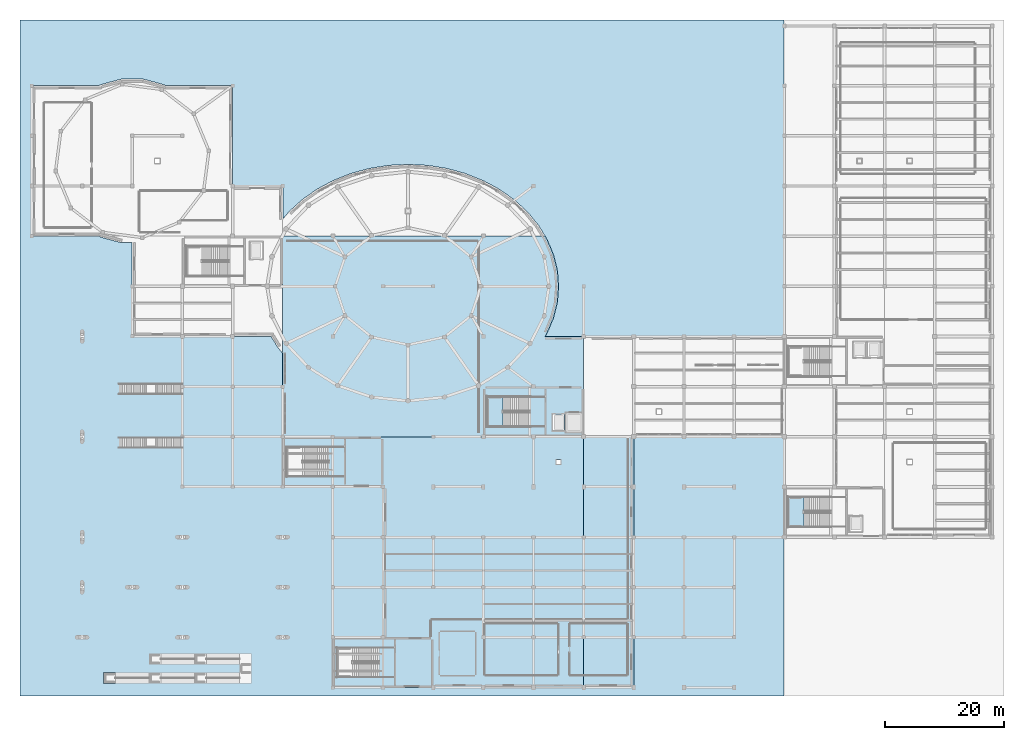
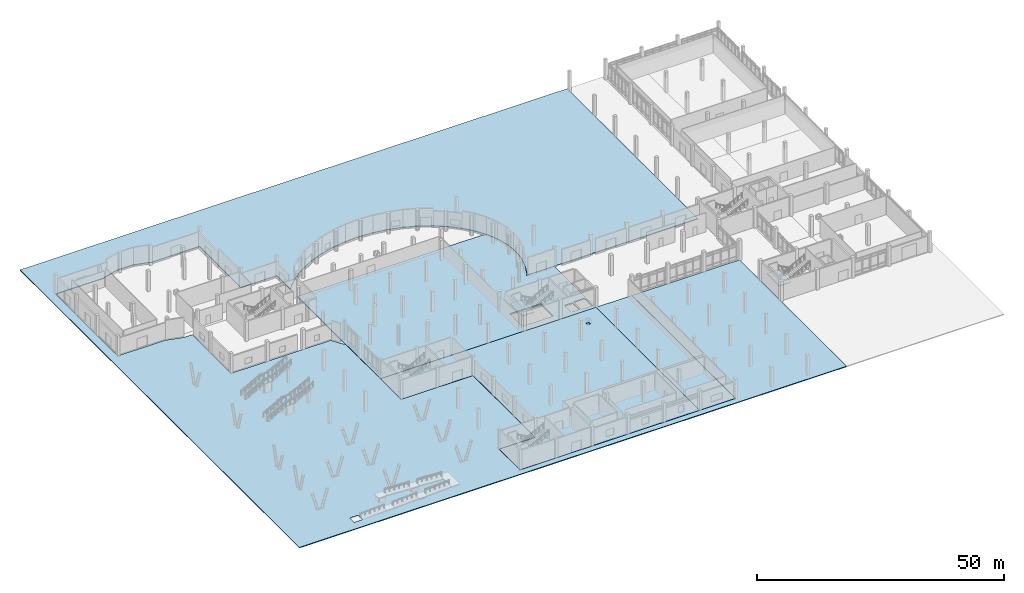
# One storey, part 38 of 64: 6 slabs, 2 elements without a shape of their own.
"""IFC4 building model written with IfcOpenShell, lengths in metres."""

from ifc_helpers import new_model, si_unit, derived_unit, direction, frame, origin, place, context, subcontext, project, spatial, polyline, outline, extrude, material, layer, layer_set, type_object, element, aggregate, save


model = new_model("IFC4")

# Units and contexts
model_context = context("Model", 3, precision=1e-05, world=origin(), true_north=direction((0.0, 1.0)))
body_context = subcontext(model_context, "Body", "Model", "MODEL_VIEW")
ifc_project = project(units=[si_unit("LENGTHUNIT", "METRE"), si_unit("AREAUNIT", "SQUARE_METRE"), si_unit("VOLUMEUNIT", "CUBIC_METRE"), si_unit("PLANEANGLEUNIT", "RADIAN"), si_unit("MASSUNIT", "GRAM", prefix="KILO"), derived_unit("THERMALTRANSMITTANCEUNIT", [(si_unit("POWERUNIT", "WATT"), 1), (si_unit("LENGTHUNIT", "METRE"), -2), (si_unit("THERMODYNAMICTEMPERATUREUNIT", "KELVIN"), -1)])], contexts=[model_context])

# Site, building, storey
site_placement = place(None, origin())
site = spatial("IfcSite", under=ifc_project, at=site_placement, CompositionType="ELEMENT")
building_placement = place(site_placement, origin())
building = spatial("IfcBuilding", under=site, at=building_placement, Name="Elbkamm Science Centre", CompositionType="ELEMENT")
storey_placement = place(building_placement, origin())
storey = spatial("IfcBuildingStorey", under=building, at=storey_placement, Name="L00", CompositionType="ELEMENT", Elevation=0.0)

# Slabs
ifc_material_1 = material(Name="Reinforced concrete C40/50", Category="concrete")
ifc_layer_1 = layer(ifc_material_1, 0.300048828125)
ifc_layer_set_1 = layer_set([ifc_layer_1], Name="Reinforced concrete C40/50")
slab_type_1 = type_object("IfcSlabType", Name="SLAB-FLR-300", PredefinedType="FLOOR", material=ifc_layer_set_1)
slab_1_placement = place(storey_placement, frame((0.0, 0.0, -0.300048828125)))
element("IfcSlab", 1, at=slab_1_placement, inside=storey, type_object=slab_type_1, Name="L00 Structural Slab CS-03", PredefinedType="FLOOR", context=body_context, shape_type="SweptSolid", body=[
    extrude(outline(polyline([(58.800048828125, 0.0), (50.39990234375, 0.0), (50.39990234375, 8.39990234375), (58.800048828125, 8.39990234375), (58.800048828125, 33.60009765625), (42.0, 33.60009765625), (42.0, 42.0), (92.39990234375, 42.0), (92.39990234375, 0.0), (67.199951171875, 0.0), (58.800048828125, 0.0)]), holes=[polyline([(88.550048828125, 38.14990234375), (87.85009765625, 38.14990234375), (87.85009765625, 37.449951171875), (88.550048828125, 37.449951171875), (88.550048828125, 38.14990234375)])]), origin(), (0.0, 0.0, 1.0), 0.300048828125),
])
slab_2_placement = place(storey_placement, frame((0.0, 0.0, -0.300048828125)))
element("IfcSlab", 2, at=slab_2_placement, inside=storey, type_object=slab_type_1, Name="L00 Structural Slab CM-04", PredefinedType="FLOOR", context=body_context, shape_type="SweptSolid", body=[
    extrude(outline(polyline([(86.28173828125, 75.006591796875), (87.34130859375, 72.47998046875), (87.984375, 69.86279296875), (88.199951171875, 67.199951171875), (87.984375, 64.537353515625), (87.34130859375, 61.920166015625), (86.28173828125, 59.393310546875), (85.92041015625, 58.800048828125), (92.39990234375, 58.800048828125), (92.39990234375, 42.0), (42.0, 42.0), (42.0, 56.001953125), (42.0, 75.60009765625), (85.92041015625, 75.60009765625), (86.28173828125, 75.006591796875)]), holes=[polyline([(83.3798828125, 48.719970703125), (76.199951171875, 48.719970703125), (76.199951171875, 43.679931640625), (83.3798828125, 43.679931640625), (83.3798828125, 48.719970703125)]), polyline([(89.14990234375, 45.75), (87.25, 45.75), (87.25, 43.050048828125), (89.14990234375, 43.050048828125), (89.14990234375, 45.75)]), polyline([(92.050048828125, 42.85009765625), (92.050048828125, 45.949951171875), (89.550048828125, 45.949951171875), (89.550048828125, 42.85009765625), (92.050048828125, 42.85009765625)])]), origin(), (0.0, 0.0, 1.0), 0.300048828125),
])
slab_3_placement = place(storey_placement, frame((0.0, 0.0, -0.300048828125)))
element("IfcSlab", 3, at=slab_3_placement, inside=storey, type_object=slab_type_1, Name="L00 Structural Slab MS-06", PredefinedType="FLOOR", context=body_context, shape_type="SweptSolid", body=[
    extrude(outline(polyline([(100.800048828125, 0.0), (92.39990234375, 0.0), (92.39990234375, 42.0), (100.800048828125, 42.0), (100.800048828125, 0.0)])), origin(), (0.0, 0.0, 1.0), 0.300048828125),
])

# Stair, slab
stair_type = type_object("IfcStairType", Name="ST-TWO-30R-242", PredefinedType="USERDEFINED", material=ifc_material_1)
stair_1_placement = place(storey_placement, origin())
stair_1 = element("IfcStair", 4, at=stair_1_placement, inside=storey, type_object=stair_type, Name="L00 Core C2 Central Exhibition and Skybridge Core Escape Stair", ObjectType="TWO_RETURN_STAIR", PredefinedType="USERDEFINED")
ifc_layer_2 = layer(ifc_material_1, 0.199951171875)
ifc_layer_set_2 = layer_set([ifc_layer_2], Name="Reinforced concrete C40/50")
slab_type_2 = type_object("IfcSlabType", Name="SLAB-LAND-200", PredefinedType="LANDING", material=ifc_layer_set_2)
slab_4_placement = place(storey_placement, frame((0.0, 0.0, 2.35009765625)))
slab_4 = element("IfcSlab", 5, at=slab_4_placement, type_object=slab_type_2, Name="ST-C2 landing 1", PredefinedType="LANDING", context=body_context, shape_type="SweptSolid", body=[
    extrude(outline(polyline([(78.89990234375, 48.719970703125), (76.199951171875, 48.719970703125), (76.199951171875, 43.679931640625), (78.89990234375, 43.679931640625), (78.89990234375, 48.719970703125)])), origin(), (0.0, 0.0, 1.0), 0.199951171875),
])
aggregate(stair_1, [slab_4])

stair_2_placement = place(storey_placement, origin())
stair_2 = element("IfcStair", 6, at=stair_2_placement, inside=storey, type_object=stair_type, Name="L00 Core C4 Southeast Workshops and Library Core Escape Stair", ObjectType="TWO_RETURN_STAIR", PredefinedType="USERDEFINED")
slab_5_placement = place(storey_placement, frame((0.0, 0.0, 2.35009765625)))
slab_5 = element("IfcSlab", 7, at=slab_5_placement, type_object=slab_type_2, Name="ST-C4 landing 1", PredefinedType="LANDING", context=body_context, shape_type="SweptSolid", body=[
    extrude(outline(polyline([(129.300048828125, 31.919921875), (126.60009765625, 31.919921875), (126.60009765625, 26.8798828125), (129.300048828125, 26.8798828125), (129.300048828125, 31.919921875)])), origin(), (0.0, 0.0, 1.0), 0.199951171875),
])
aggregate(stair_2, [slab_5])

# Slab
ifc_material_2 = material(Name="Exposed freeze-thaw concrete C35/45", Category="concrete")
ifc_layer_3 = layer(ifc_material_2, 0.18994140625)
ifc_layer_set_3 = layer_set([ifc_layer_3], Name="Exposed freeze-thaw concrete C35/45")
slab_type_3 = type_object("IfcSlabType", Name="SLAB-PAV-190", PredefinedType="FLOOR", material=ifc_layer_set_3)
slab_6_placement = place(storey_placement, frame((0.0, 0.0, -0.18994140625)))
element("IfcSlab", 8, at=slab_6_placement, inside=storey, type_object=slab_type_3, Name="Quay Promenade and Forecourt Plaza Paving 01", PredefinedType="FLOOR", context=body_context, shape_type="SweptSolid", body=[
    extrude(outline(polyline([(-2.0, -1.39990234375), (-2.0, 111.800048828125), (125.97509765625, 111.800048828125), (125.97509765625, 58.820068359375), (85.9560546875, 58.820068359375), (86.298828125, 59.3828125), (86.299560546875, 59.38427734375), (86.30029296875, 59.385498046875), (87.359619140625, 61.912353515625), (87.3603515625, 61.913818359375), (87.360595703125, 61.915283203125), (88.00390625, 64.532470703125), (88.004150390625, 64.5341796875), (88.00439453125, 64.53564453125), (88.219970703125, 67.198486328125), (88.219970703125, 67.199951171875), (88.219970703125, 67.20166015625), (88.00439453125, 69.8642578125), (88.004150390625, 69.865966796875), (88.00390625, 69.867431640625), (87.360595703125, 72.484619140625), (87.3603515625, 72.486083984375), (87.359619140625, 72.487548828125), (86.30029296875, 75.014404296875), (86.299560546875, 75.015869140625), (86.298828125, 75.01708984375), (84.8408203125, 77.410400390625), (84.839111328125, 77.41259765625), (83.0078125, 79.63134765625), (83.006103515625, 79.63330078125), (80.832763671875, 81.6396484375), (80.830810546875, 81.641357421875), (78.352294921875, 83.400634765625), (78.350341796875, 83.402099609375), (75.609619140625, 84.884521484375), (75.607421875, 84.885498046875), (72.65087890625, 86.065673828125), (72.64892578125, 86.06640625), (69.527587890625, 86.92431640625), (69.525390625, 86.924560546875), (66.29248046875, 87.4453125), (66.290283203125, 87.445556640625), (63.001220703125, 87.6201171875), (62.998779296875, 87.6201171875), (59.709716796875, 87.445556640625), (59.70751953125, 87.4453125), (56.474609375, 86.924560546875), (56.472412109375, 86.92431640625), (53.35107421875, 86.06640625), (53.34912109375, 86.065673828125), (50.392578125, 84.885498046875), (50.390380859375, 84.884521484375), (47.649658203125, 83.402099609375), (47.647705078125, 83.400634765625), (45.169189453125, 81.641357421875), (45.167236328125, 81.6396484375), (42.993896484375, 79.63330078125), (42.9921875, 79.63134765625), (42.02001953125, 78.45361328125), (42.02001953125, 84.0), (42.02001953125, 84.001953125), (42.01953125, 84.00390625), (42.01904296875, 84.005859375), (42.0185546875, 84.0078125), (42.017578125, 84.009521484375), (42.0166015625, 84.010986328125), (42.015380859375, 84.0126953125), (42.01416015625, 84.01416015625), (42.0126953125, 84.015380859375), (42.010986328125, 84.0166015625), (42.009521484375, 84.017578125), (42.0078125, 84.0185546875), (42.005859375, 84.01904296875), (42.00390625, 84.01953125), (42.001953125, 84.02001953125), (42.0, 84.02001953125), (33.6201171875, 84.02001953125), (33.6201171875, 100.800048828125), (33.619873046875, 100.802001953125), (33.61962890625, 100.803955078125), (33.619140625, 100.805908203125), (33.618408203125, 100.8076171875), (33.61767578125, 100.809326171875), (33.61669921875, 100.81103515625), (33.615478515625, 100.812744140625), (33.614013671875, 100.814208984375), (33.61279296875, 100.8154296875), (33.611083984375, 100.816650390625), (33.609375, 100.817626953125), (33.607666015625, 100.818603515625), (33.605712890625, 100.819091796875), (33.60400390625, 100.819580078125), (33.60205078125, 100.81982421875), (33.60009765625, 100.820068359375), (22.34521484375, 100.820068359375), (22.091064453125, 100.966796875), (22.089599609375, 100.967529296875), (22.087890625, 100.96826171875), (22.086181640625, 100.96875), (18.6064453125, 101.901123046875), (18.604736328125, 101.901611328125), (18.60302734375, 101.90185546875), (18.601318359375, 101.90185546875), (14.998779296875, 101.90185546875), (14.9970703125, 101.90185546875), (14.9951171875, 101.901611328125), (14.993408203125, 101.901123046875), (11.513916015625, 100.96875), (11.51220703125, 100.96826171875), (11.510498046875, 100.967529296875), (11.509033203125, 100.966796875), (11.254638671875, 100.820068359375), (0.0, 100.820068359375), (-0.001953125, 100.81982421875), (-0.00390625, 100.819580078125), (-0.005859375, 100.819091796875), (-0.0078125, 100.818603515625), (-0.009521484375, 100.817626953125), (-0.010986328125, 100.816650390625), (-0.0126953125, 100.8154296875), (-0.01416015625, 100.814208984375), (-0.015380859375, 100.812744140625), (-0.0166015625, 100.81103515625), (-0.017578125, 100.809326171875), (-0.0185546875, 100.8076171875), (-0.01904296875, 100.805908203125), (-0.01953125, 100.803955078125), (-0.02001953125, 100.802001953125), (-0.02001953125, 100.800048828125), (-0.02001953125, 75.60009765625), (-0.02001953125, 75.597900390625), (-0.01953125, 75.59619140625), (-0.01904296875, 75.59423828125), (-0.0185546875, 75.59228515625), (-0.017578125, 75.590576171875), (-0.0166015625, 75.5888671875), (-0.015380859375, 75.58740234375), (-0.01416015625, 75.5859375), (-0.0126953125, 75.58447265625), (-0.010986328125, 75.58349609375), (-0.009521484375, 75.58251953125), (-0.0078125, 75.58154296875), (-0.005859375, 75.580810546875), (-0.00390625, 75.580322265625), (-0.001953125, 75.580078125), (0.0, 75.580078125), (11.254638671875, 75.580078125), (11.509033203125, 75.43310546875), (11.510498046875, 75.432373046875), (11.51220703125, 75.431640625), (11.513916015625, 75.43115234375), (14.993408203125, 74.498779296875), (14.9951171875, 74.498291015625), (14.9970703125, 74.498291015625), (14.998779296875, 74.498046875), (16.780029296875, 74.498046875), (16.780029296875, 58.800048828125), (16.780029296875, 58.798095703125), (16.780517578125, 58.796142578125), (16.781005859375, 58.794189453125), (16.781494140625, 58.792236328125), (16.782470703125, 58.79052734375), (16.783447265625, 58.788818359375), (16.784423828125, 58.787353515625), (16.785888671875, 58.785888671875), (16.787353515625, 58.784423828125), (16.788818359375, 58.783447265625), (16.79052734375, 58.782470703125), (16.792236328125, 58.781494140625), (16.794189453125, 58.781005859375), (16.796142578125, 58.780517578125), (16.798095703125, 58.780029296875), (16.800048828125, 58.780029296875), (40.068359375, 58.780029296875), (41.1591796875, 56.989501953125), (41.160888671875, 56.9873046875), (41.97998046875, 55.99462890625), (41.97998046875, 42.0), (41.97998046875, 33.60009765625), (41.97998046875, 33.597900390625), (41.98046875, 33.59619140625), (41.98095703125, 33.59423828125), (41.9814453125, 33.59228515625), (41.982421875, 33.590576171875), (41.9833984375, 33.5888671875), (41.984619140625, 33.58740234375), (41.98583984375, 33.5859375), (41.9873046875, 33.58447265625), (41.989013671875, 33.58349609375), (41.990478515625, 33.58251953125), (41.9921875, 33.58154296875), (41.994140625, 33.580810546875), (41.99609375, 33.580322265625), (41.998046875, 33.580078125), (42.0, 33.580078125), (58.780029296875, 33.580078125), (58.780029296875, 8.419921875), (50.39990234375, 8.419921875), (50.39794921875, 8.419921875), (50.39599609375, 8.419677734375), (50.394287109375, 8.419189453125), (50.392333984375, 8.41845703125), (50.390625, 8.41748046875), (50.388916015625, 8.41650390625), (50.38720703125, 8.41552734375), (50.385986328125, 8.4140625), (50.384521484375, 8.41259765625), (50.38330078125, 8.4111328125), (50.38232421875, 8.409423828125), (50.381591796875, 8.40771484375), (50.380859375, 8.40576171875), (50.38037109375, 8.40380859375), (50.380126953125, 8.402099609375), (50.3798828125, 8.39990234375), (50.3798828125, 0.0), (50.380126953125, -0.001953125), (50.38037109375, -0.00390625), (50.380859375, -0.005859375), (50.381591796875, -0.0078125), (50.38232421875, -0.009521484375), (50.38330078125, -0.010986328125), (50.384521484375, -0.0126953125), (50.385986328125, -0.01416015625), (50.38720703125, -0.015380859375), (50.388916015625, -0.0166015625), (50.390625, -0.017578125), (50.392333984375, -0.0185546875), (50.394287109375, -0.01904296875), (50.39599609375, -0.01953125), (50.39794921875, -0.02001953125), (50.39990234375, -0.02001953125), (67.199951171875, -0.02001953125), (100.800048828125, -0.02001953125), (100.802001953125, -0.02001953125), (100.803955078125, -0.01953125), (100.805908203125, -0.01904296875), (100.8076171875, -0.0185546875), (100.809326171875, -0.017578125), (100.81103515625, -0.0166015625), (100.812744140625, -0.015380859375), (100.814208984375, -0.01416015625), (100.8154296875, -0.0126953125), (100.816650390625, -0.010986328125), (100.817626953125, -0.009521484375), (100.818603515625, -0.0078125), (100.819091796875, -0.005859375), (100.819580078125, -0.00390625), (100.81982421875, -0.001953125), (100.820068359375, 0.0), (100.820068359375, 41.97998046875), (125.97509765625, 41.97998046875), (125.97509765625, -1.39990234375), (-2.0, -1.39990234375)]), holes=[polyline([(12.0, 2.5), (12.0, 0.699951171875), (14.0, 0.699951171875), (14.0, 2.5), (12.0, 2.5)])]), origin(), (0.0, 0.0, 1.0), 0.18994140625),
])

save(model, "model.ifc")
